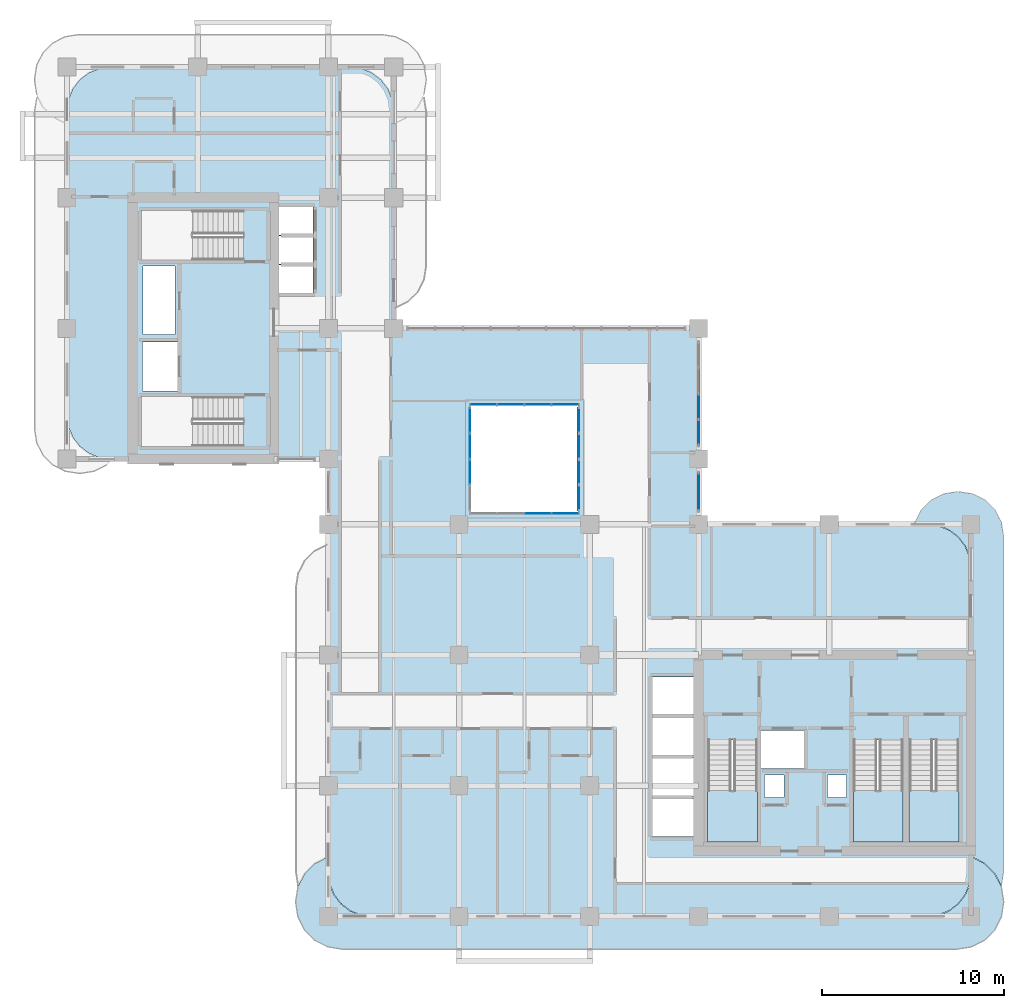
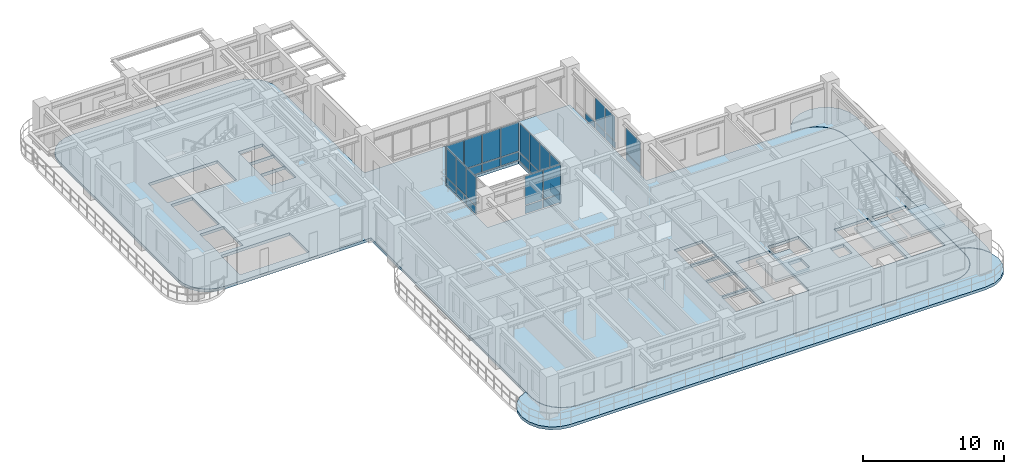
# One storey, part 9 of 20: 33 plates, 6 slabs, 9 elements without a shape of their own.
"""IFC4 building model written with IfcOpenShell, lengths in metres."""

from ifc_helpers import new_model, si_unit, derived_unit, direction, frame, origin, origin_2d, place, context, subcontext, project, spatial, polyline, rectangle, outline, extrude, source, transform, mapped, material, layer, layer_set, type_object, element, aggregate, save


model = new_model("IFC4")

# Units and contexts
model_context = context("Model", 3, precision=1e-05, world=origin(), true_north=direction((0.0, 1.0)))
body_context = subcontext(model_context, "Body", "Model", "MODEL_VIEW")
ifc_project = project(units=[si_unit("LENGTHUNIT", "METRE"), si_unit("AREAUNIT", "SQUARE_METRE"), si_unit("VOLUMEUNIT", "CUBIC_METRE"), si_unit("PLANEANGLEUNIT", "RADIAN"), si_unit("MASSUNIT", "GRAM", prefix="KILO"), si_unit("THERMODYNAMICTEMPERATUREUNIT", "KELVIN"), si_unit("POWERUNIT", "WATT"), derived_unit("THERMALTRANSMITTANCEUNIT", [(si_unit("POWERUNIT", "WATT"), 1), (si_unit("AREAUNIT", "SQUARE_METRE"), -1), (si_unit("THERMODYNAMICTEMPERATUREUNIT", "KELVIN"), -1)])], contexts=[model_context])

# Site, building, storey
site_placement = place(None, origin())
site = spatial("IfcSite", under=ifc_project, at=site_placement, CompositionType="ELEMENT")
building_placement = place(site_placement, origin())
building = spatial("IfcBuilding", under=site, at=building_placement, Name="Zahravan Archway Hotel and Residences", CompositionType="ELEMENT")
storey_placement = place(building_placement, frame((0.0, 0.0, 119.199951171875)))
storey = spatial("IfcBuildingStorey", under=building, at=storey_placement, Name="L29", CompositionType="ELEMENT", Elevation=119.199951171875)

# Slabs
ifc_material_1 = material(Name="Concrete C45/55", Category="concrete")
ifc_layer_1 = layer(ifc_material_1, 0.25, Name="Concrete C45/55", Category="concrete")
ifc_layer_set_1 = layer_set([ifc_layer_1], Name="Concrete C45/55")
slab_type_1 = type_object("IfcSlabType", Name="SLB-BALC-250", PredefinedType="FLOOR", material=ifc_layer_set_1)
slab_1_placement = place(storey_placement, frame((0.0, 0.0, -0.25)))
element("IfcSlab", 1, at=slab_1_placement, inside=storey, type_object=slab_type_1, Name="L29 Wing A South Rounded Balcony Band", PredefinedType="FLOOR", context=body_context, shape_type="SweptSolid", body=[
    extrude(outline(polyline([(49.837890625, 3.275146484375), (50.548828125, 2.9130859375), (51.113037109375, 2.348876953125), (51.47509765625, 1.637939453125), (51.60009765625, 0.85009765625), (51.60009765625, 0.75), (51.47509765625, -0.0380859375), (51.113037109375, -0.748779296875), (50.548828125, -1.31298828125), (49.837890625, -1.67529296875), (49.050048828125, -1.800048828125), (15.14990234375, -1.800048828125), (14.362060546875, -1.67529296875), (13.651123046875, -1.31298828125), (13.0869140625, -0.748779296875), (12.724853515625, -0.0380859375), (12.60009765625, 0.75), (12.60009765625, 0.85009765625), (12.724853515625, 1.637939453125), (13.0869140625, 2.348876953125), (13.651123046875, 2.9130859375), (14.362060546875, 3.275146484375), (14.3798828125, 3.278076171875), (14.3798828125, 2.39990234375), (14.380126953125, 2.3974609375), (14.4619140625, 1.776123046875), (14.46240234375, 1.7744140625), (14.462646484375, 1.772705078125), (14.46337890625, 1.77099609375), (14.702880859375, 1.1923828125), (14.703857421875, 1.19091796875), (14.70458984375, 1.189208984375), (14.70556640625, 1.187744140625), (15.0869140625, 0.690673828125), (15.088134765625, 0.689453125), (15.08935546875, 0.688232421875), (15.0908203125, 0.68701171875), (15.587890625, 0.3056640625), (15.58935546875, 0.3046875), (15.5908203125, 0.3037109375), (15.59228515625, 0.302978515625), (16.171142578125, 0.063232421875), (16.1728515625, 0.062744140625), (16.174560546875, 0.062255859375), (16.17626953125, 0.06201171875), (16.79736328125, -0.019775390625), (16.800048828125, -0.02001953125), (47.39990234375, -0.02001953125), (47.402587890625, -0.019775390625), (48.023681640625, 0.06201171875), (48.025390625, 0.062255859375), (48.027099609375, 0.062744140625), (48.02880859375, 0.063232421875), (48.607666015625, 0.302978515625), (48.609130859375, 0.3037109375), (48.610595703125, 0.3046875), (48.6123046875, 0.3056640625), (49.109375, 0.68701171875), (49.110595703125, 0.688232421875), (49.11181640625, 0.689453125), (49.113037109375, 0.690673828125), (49.494384765625, 1.187744140625), (49.495361328125, 1.189208984375), (49.49609375, 1.19091796875), (49.4970703125, 1.1923828125), (49.73681640625, 1.77099609375), (49.7373046875, 1.772705078125), (49.73779296875, 1.7744140625), (49.738037109375, 1.776123046875), (49.81982421875, 2.3974609375), (49.820068359375, 2.39990234375), (49.820068359375, 3.278076171875), (49.837890625, 3.275146484375)])), origin(), (0.0, 0.0, 1.0), 0.25),
])
slab_2_placement = place(storey_placement, frame((0.0, 0.0, -0.25)))
element("IfcSlab", 2, at=slab_2_placement, inside=storey, type_object=slab_type_1, Name="L29 Wing A East Rounded Balcony Band", PredefinedType="FLOOR", context=body_context, shape_type="SweptSolid", body=[
    extrude(outline(polyline([(46.719970703125, 21.70703125), (47.06787109375, 22.39013671875), (47.60986328125, 22.93212890625), (48.29296875, 23.280029296875), (49.050048828125, 23.39990234375), (49.14990234375, 23.39990234375), (49.906982421875, 23.280029296875), (50.590087890625, 22.93212890625), (51.132080078125, 22.39013671875), (51.47998046875, 21.70703125), (51.60009765625, 20.949951171875), (51.60009765625, 2.449951171875), (51.47998046875, 1.69287109375), (51.474853515625, 1.6826171875), (51.130859375, 2.35791015625), (51.1298828125, 2.35986328125), (51.12841796875, 2.361572265625), (51.127197265625, 2.363037109375), (50.56298828125, 2.927001953125), (50.5615234375, 2.928466796875), (50.559814453125, 2.9296875), (50.55810546875, 2.930908203125), (49.84716796875, 3.29296875), (49.84521484375, 3.2939453125), (49.84326171875, 3.29443359375), (49.841064453125, 3.294921875), (49.822998046875, 3.2978515625), (49.8212890625, 3.298095703125), (49.820068359375, 3.298095703125), (49.820068359375, 19.199951171875), (49.81982421875, 19.20263671875), (49.738037109375, 19.82373046875), (49.73779296875, 19.825439453125), (49.7373046875, 19.8271484375), (49.73681640625, 19.828857421875), (49.4970703125, 20.40771484375), (49.49609375, 20.4091796875), (49.495361328125, 20.41064453125), (49.494384765625, 20.412109375), (49.113037109375, 20.9091796875), (49.11181640625, 20.91064453125), (49.110595703125, 20.911865234375), (49.109375, 20.9130859375), (48.6123046875, 21.29443359375), (48.610595703125, 21.29541015625), (48.609130859375, 21.296142578125), (48.607666015625, 21.297119140625), (48.02880859375, 21.53662109375), (48.027099609375, 21.537353515625), (48.025390625, 21.53759765625), (48.023681640625, 21.5380859375), (47.402587890625, 21.619873046875), (47.39990234375, 21.6201171875), (46.7060546875, 21.6201171875), (46.719970703125, 21.70703125)])), origin(), (0.0, 0.0, 1.0), 0.25),
])
ifc_layer_2 = layer(ifc_material_1, 0.25, Name="Concrete C45/55", Category="concrete")
ifc_layer_set_2 = layer_set([ifc_layer_2], Name="Concrete C45/55")
slab_type_2 = type_object("IfcSlabType", Name="SLB-FLR-250", PredefinedType="FLOOR", material=ifc_layer_set_2)
slab_3_placement = place(storey_placement, frame((0.0, 0.0, -0.25)))
element("IfcSlab", 3, at=slab_3_placement, inside=storey, type_object=slab_type_2, Name="L29 Floor Slab LB", PredefinedType="FLOOR", context=body_context, shape_type="SweptSolid", body=[
    extrude(outline(polyline([(34.800048828125, 21.60009765625), (34.800048828125, 32.39990234375), (18.0, 32.39990234375), (18.0, 44.39990234375), (17.918212890625, 45.021240234375), (17.678466796875, 45.60009765625), (17.297119140625, 46.09716796875), (16.800048828125, 46.478515625), (16.22119140625, 46.71826171875), (15.60009765625, 46.800048828125), (2.39990234375, 46.800048828125), (1.77880859375, 46.71826171875), (1.199951171875, 46.478515625), (0.702880859375, 46.09716796875), (0.321533203125, 45.60009765625), (0.081787109375, 45.021240234375), (0.0, 44.39990234375), (0.0, 27.60009765625), (0.081787109375, 26.978759765625), (0.321533203125, 26.39990234375), (0.702880859375, 25.90283203125), (1.199951171875, 25.521484375), (1.77880859375, 25.28173828125), (2.39990234375, 25.199951171875), (14.39990234375, 25.199951171875), (14.39990234375, 19.199951171875), (14.39990234375, 19.10009765625), (14.39990234375, 2.39990234375), (14.481689453125, 1.77880859375), (14.721435546875, 1.199951171875), (15.102783203125, 0.702880859375), (15.60009765625, 0.321533203125), (16.1787109375, 0.081787109375), (16.800048828125, 0.0), (47.39990234375, 0.0), (48.021240234375, 0.081787109375), (48.60009765625, 0.321533203125), (49.09716796875, 0.702880859375), (49.478515625, 1.199951171875), (49.71826171875, 1.77880859375), (49.800048828125, 2.39990234375), (49.800048828125, 19.199951171875), (49.71826171875, 19.8212890625), (49.478515625, 20.39990234375), (49.09716796875, 20.897216796875), (48.60009765625, 21.278564453125), (48.021240234375, 21.518310546875), (47.39990234375, 21.60009765625), (34.800048828125, 21.60009765625)]), holes=[polyline([(35.300048828125, 9.72998046875), (35.300048828125, 4.10009765625), (38.0400390625, 4.10009765625), (38.0400390625, 9.72998046875), (35.300048828125, 9.72998046875)]), polyline([(43.320068359375, 9.72998046875), (43.320068359375, 4.10009765625), (46.06005859375, 4.10009765625), (46.06005859375, 9.72998046875), (43.320068359375, 9.72998046875)]), polyline([(46.39990234375, 9.72998046875), (46.39990234375, 4.10009765625), (49.139892578125, 4.10009765625), (49.139892578125, 9.72998046875), (46.39990234375, 9.72998046875)]), polyline([(9.72998046875, 28.639892578125), (4.10009765625, 28.639892578125), (4.10009765625, 25.89990234375), (9.72998046875, 25.89990234375), (9.72998046875, 28.639892578125)]), polyline([(9.72998046875, 38.89990234375), (4.10009765625, 38.89990234375), (4.10009765625, 36.159912109375), (9.72998046875, 36.159912109375), (9.72998046875, 38.89990234375)]), polyline([(38.179931640625, 8.14990234375), (40.699951171875, 8.14990234375), (40.699951171875, 10.25), (38.179931640625, 10.25), (38.179931640625, 8.14990234375)]), polyline([(4.14990234375, 28.949951171875), (6.10009765625, 28.949951171875), (6.10009765625, 31.64990234375), (4.14990234375, 31.64990234375), (4.14990234375, 28.949951171875)]), polyline([(11.550048828125, 34.35009765625), (13.550048828125, 34.35009765625), (13.550048828125, 35.889892578125), (11.550048828125, 35.889892578125), (11.550048828125, 34.35009765625)]), polyline([(11.550048828125, 35.949951171875), (13.550048828125, 35.949951171875), (13.550048828125, 37.489990234375), (11.550048828125, 37.489990234375), (11.550048828125, 35.949951171875)]), polyline([(11.550048828125, 37.550048828125), (13.550048828125, 37.550048828125), (13.550048828125, 39.090087890625), (11.550048828125, 39.090087890625), (11.550048828125, 37.550048828125)]), polyline([(32.25, 4.39990234375), (34.550048828125, 4.39990234375), (34.550048828125, 6.47998046875), (32.25, 6.47998046875), (32.25, 4.39990234375)]), polyline([(32.25, 6.639892578125), (34.550048828125, 6.639892578125), (34.550048828125, 8.719970703125), (32.25, 8.719970703125), (32.25, 6.639892578125)]), polyline([(32.25, 8.8798828125), (34.550048828125, 8.8798828125), (34.550048828125, 10.9599609375), (32.25, 10.9599609375), (32.25, 8.8798828125)]), polyline([(32.25, 11.1201171875), (34.550048828125, 11.1201171875), (34.550048828125, 13.199951171875), (32.25, 13.199951171875), (32.25, 11.1201171875)]), polyline([(22.199951171875, 22.199951171875), (28.199951171875, 22.199951171875), (28.199951171875, 28.199951171875), (22.199951171875, 28.199951171875), (22.199951171875, 22.199951171875)]), polyline([(38.419921875, 6.56005859375), (39.5, 6.56005859375), (39.5, 7.780029296875), (38.419921875, 7.780029296875), (38.419921875, 6.56005859375)]), polyline([(41.89990234375, 6.56005859375), (42.9599609375, 6.56005859375), (42.9599609375, 7.780029296875), (41.89990234375, 7.780029296875), (41.89990234375, 6.56005859375)]), polyline([(4.179931640625, 32.050048828125), (5.93994140625, 32.050048828125), (5.93994140625, 35.840087890625), (4.179931640625, 35.840087890625), (4.179931640625, 32.050048828125)])]), origin(), (0.0, 0.0, 1.0), 0.25),
])

# Stair, slab
ifc_material_2 = material(Name="Concrete C50/60", Category="concrete")
stair_type = type_object("IfcStairType", Name="STR-CORE-1300", PredefinedType="HALF_TURN_STAIR", material=ifc_material_2)
stair_1_placement = place(storey_placement, origin())
stair_1 = element("IfcStair", 4, at=stair_1_placement, inside=storey, type_object=stair_type, Name="L29 Core A Exit Stair 1", PredefinedType="HALF_TURN_STAIR")
ifc_layer_3 = layer(ifc_material_2, 0.199951171875, Name="Concrete C50/60", Category="concrete")
ifc_layer_set_3 = layer_set([ifc_layer_3], Name="Concrete C50/60")
slab_type_3 = type_object("IfcSlabType", Name="SLB-LND-200", PredefinedType="LANDING", material=ifc_layer_set_3)
slab_4_placement = place(storey_placement, frame((0.0, 0.0, 1.650146484375)))
slab_4 = element("IfcSlab", 5, at=slab_4_placement, type_object=slab_type_3, Name="ST-A1 landing 1", PredefinedType="LANDING", context=body_context, shape_type="SweptSolid", body=[
    extrude(outline(polyline([(35.300048828125, 6.929931640625), (35.300048828125, 4.10009765625), (38.0400390625, 4.10009765625), (38.0400390625, 6.929931640625), (35.300048828125, 6.929931640625)])), origin(), (0.0, 0.0, 1.0), 0.199951171875),
])
aggregate(stair_1, [slab_4])

stair_2_placement = place(storey_placement, origin())
stair_2 = element("IfcStair", 6, at=stair_2_placement, inside=storey, type_object=stair_type, Name="L29 Core A Exit Stair 2", PredefinedType="HALF_TURN_STAIR")
slab_5_placement = place(storey_placement, frame((0.0, 0.0, 1.650146484375)))
slab_5 = element("IfcSlab", 7, at=slab_5_placement, type_object=slab_type_3, Name="ST-A2 landing 1", PredefinedType="LANDING", context=body_context, shape_type="SweptSolid", body=[
    extrude(outline(polyline([(43.320068359375, 6.929931640625), (43.320068359375, 4.10009765625), (46.06005859375, 4.10009765625), (46.06005859375, 6.929931640625), (43.320068359375, 6.929931640625)])), origin(), (0.0, 0.0, 1.0), 0.199951171875),
])
aggregate(stair_2, [slab_5])

stair_3_placement = place(storey_placement, origin())
stair_3 = element("IfcStair", 8, at=stair_3_placement, inside=storey, type_object=stair_type, Name="L29 Core A Exit Stair 3", PredefinedType="HALF_TURN_STAIR")
slab_6_placement = place(storey_placement, frame((0.0, 0.0, 1.650146484375)))
slab_6 = element("IfcSlab", 9, at=slab_6_placement, type_object=slab_type_3, Name="ST-A3 landing 1", PredefinedType="LANDING", context=body_context, shape_type="SweptSolid", body=[
    extrude(outline(polyline([(46.39990234375, 6.929931640625), (46.39990234375, 4.10009765625), (49.139892578125, 4.10009765625), (49.139892578125, 6.929931640625), (46.39990234375, 6.929931640625)])), origin(), (0.0, 0.0, 1.0), 0.199951171875),
])
aggregate(stair_3, [slab_6])

# Curtain wall, plates
ifc_material_3 = material(Name="Bronze-Anodized Unitised Aluminium & Low-E Glass", Category="aluminium")
ifc_layer_4 = layer(ifc_material_3, 0.179931640625, Name="Bronze-Anodized Unitised Aluminium & Low-E Glass", Category="aluminium")
ifc_layer_set_4 = layer_set([ifc_layer_4], Name="Bronze-Anodized Unitised Aluminium & Low-E Glass")
curtain_wall_type = type_object("IfcCurtainWallType", Name="CW-ATR-GLAZ", PredefinedType="NOTDEFINED", material=ifc_layer_set_4)
curtain_wall_1_placement = place(storey_placement, origin())
curtain_wall_1 = element("IfcCurtainWall", 10, at=curtain_wall_1_placement, inside=storey, type_object=curtain_wall_type, Name="L29 Curtain Wall CW-ATR-L29-S-1", PredefinedType="NOTDEFINED")
ifc_material_4 = material(Name="Insulated Terracotta Spandrel Panel", Category="masonry")
ifc_layer_5 = layer(ifc_material_4, 0.0400390625, Name="Insulated Terracotta Spandrel Panel", Category="masonry")
ifc_layer_set_5 = layer_set([ifc_layer_5], Name="Insulated Terracotta Spandrel Panel")
plate_type_1 = type_object("IfcPlateType", Name="CWP-SPN-40", PredefinedType="SHEET", material=ifc_layer_set_5)
shared_shape_1 = source(origin(), body_context, "Body", "SweptSolid", [
    extrude(rectangle(XDim=1.419921875, YDim=0.0400390625, at=origin_2d()), origin(), (0.0, 0.0, 1.0), 0.68798828125),
])
plate_1_placement = place(storey_placement, frame((25.949951171875, 22.199951171875, 0.10009765625), z_axis=(0.0, 0.0, 1.0), x_axis=(1.0, 0.0, 0.0)))
plate_1 = element("IfcPlate", 11, at=plate_1_placement, type_object=plate_type_1, Name="CW-ATR-L29-S-1 Spandrel Panel 2", PredefinedType="SHEET", context=body_context, shape_type="MappedRepresentation", body=[
    mapped(shared_shape_1, transform((0.0, 0.0, 0.0), scale=1.0)),
])
plate_2_placement = place(storey_placement, frame((27.449951171875, 22.199951171875, 0.10009765625), z_axis=(0.0, 0.0, 1.0), x_axis=(1.0, 0.0, 0.0)))
plate_2 = element("IfcPlate", 12, at=plate_2_placement, type_object=plate_type_1, Name="CW-ATR-L29-S-1 Spandrel Panel 3", PredefinedType="SHEET", context=body_context, shape_type="MappedRepresentation", body=[
    mapped(shared_shape_1, transform((0.0, 0.0, 0.0), scale=1.0)),
])

curtain_wall_2_placement = place(storey_placement, origin())
curtain_wall_2 = element("IfcCurtainWall", 13, at=curtain_wall_2_placement, inside=storey, type_object=curtain_wall_type, Name="L29 Curtain Wall CW-ATR-L29-N-1", PredefinedType="NOTDEFINED")
plate_3_placement = place(storey_placement, frame((22.949951171875, 28.199951171875, 0.10009765625), z_axis=(0.0, 0.0, 1.0), x_axis=(1.0, 0.0, 0.0)))
plate_3 = element("IfcPlate", 14, at=plate_3_placement, type_object=plate_type_1, Name="CW-ATR-L29-N-1 Spandrel Panel 0", PredefinedType="SHEET", context=body_context, shape_type="MappedRepresentation", body=[
    mapped(shared_shape_1, transform((0.0, 0.0, 0.0), scale=1.0)),
])
plate_4_placement = place(storey_placement, frame((24.449951171875, 28.199951171875, 0.10009765625), z_axis=(0.0, 0.0, 1.0), x_axis=(1.0, 0.0, 0.0)))
plate_4 = element("IfcPlate", 15, at=plate_4_placement, type_object=plate_type_1, Name="CW-ATR-L29-N-1 Spandrel Panel 1", PredefinedType="SHEET", context=body_context, shape_type="MappedRepresentation", body=[
    mapped(shared_shape_1, transform((0.0, 0.0, 0.0), scale=1.0)),
])
plate_5_placement = place(storey_placement, frame((25.949951171875, 28.199951171875, 0.10009765625), z_axis=(0.0, 0.0, 1.0), x_axis=(1.0, 0.0, 0.0)))
plate_5 = element("IfcPlate", 16, at=plate_5_placement, type_object=plate_type_1, Name="CW-ATR-L29-N-1 Spandrel Panel 2", PredefinedType="SHEET", context=body_context, shape_type="MappedRepresentation", body=[
    mapped(shared_shape_1, transform((0.0, 0.0, 0.0), scale=1.0)),
])
plate_6_placement = place(storey_placement, frame((27.449951171875, 28.199951171875, 0.10009765625), z_axis=(0.0, 0.0, 1.0), x_axis=(1.0, 0.0, 0.0)))
plate_6 = element("IfcPlate", 17, at=plate_6_placement, type_object=plate_type_1, Name="CW-ATR-L29-N-1 Spandrel Panel 3", PredefinedType="SHEET", context=body_context, shape_type="MappedRepresentation", body=[
    mapped(shared_shape_1, transform((0.0, 0.0, 0.0), scale=1.0)),
])

# Plate
ifc_material_5 = material(Name="Double-Silver Low-E Insulated Vision Glass", Category="glass")
ifc_layer_6 = layer(ifc_material_5, 0.028076171875, Name="Double-Silver Low-E Insulated Vision Glass", Category="glass")
ifc_layer_set_6 = layer_set([ifc_layer_6], Name="Double-Silver Low-E Insulated Vision Glass")
plate_type_2 = type_object("IfcPlateType", Name="CWP-GLZ-28", PredefinedType="CURTAIN_PANEL", material=ifc_layer_set_6)
shared_shape_2 = source(origin(), body_context, "Body", "SweptSolid", [
    extrude(rectangle(XDim=1.419921875, YDim=0.028076171875, at=origin_2d()), origin(), (0.0, 0.0, 1.0), 2.48193359375),
])
plate_7_placement = place(storey_placement, frame((25.949951171875, 22.199951171875, 0.8681640625), z_axis=(0.0, 0.0, 1.0), x_axis=(1.0, 0.0, 0.0)))
plate_7 = element("IfcPlate", 18, at=plate_7_placement, type_object=plate_type_2, Name="CW-ATR-L29-S-1 Low-E Vision Panel 2", PredefinedType="CURTAIN_PANEL", context=body_context, shape_type="MappedRepresentation", body=[
    mapped(shared_shape_2, transform((0.0, 0.0, 0.0), scale=1.0)),
])

plate_8_placement = place(storey_placement, frame((27.449951171875, 22.199951171875, 0.8681640625), z_axis=(0.0, 0.0, 1.0), x_axis=(1.0, 0.0, 0.0)))
plate_8 = element("IfcPlate", 19, at=plate_8_placement, type_object=plate_type_2, Name="CW-ATR-L29-S-1 Low-E Vision Panel 3", PredefinedType="CURTAIN_PANEL", context=body_context, shape_type="MappedRepresentation", body=[
    mapped(shared_shape_2, transform((0.0, 0.0, 0.0), scale=1.0)),
])

aggregate(curtain_wall_1, [plate_1, plate_7, plate_2, plate_8])

plate_9_placement = place(storey_placement, frame((22.949951171875, 28.199951171875, 0.8681640625), z_axis=(0.0, 0.0, 1.0), x_axis=(1.0, 0.0, 0.0)))
plate_9 = element("IfcPlate", 20, at=plate_9_placement, type_object=plate_type_2, Name="CW-ATR-L29-N-1 Low-E Vision Panel 0", PredefinedType="CURTAIN_PANEL", context=body_context, shape_type="MappedRepresentation", body=[
    mapped(shared_shape_2, transform((0.0, 0.0, 0.0), scale=1.0)),
])

plate_10_placement = place(storey_placement, frame((24.449951171875, 28.199951171875, 0.8681640625), z_axis=(0.0, 0.0, 1.0), x_axis=(1.0, 0.0, 0.0)))
plate_10 = element("IfcPlate", 21, at=plate_10_placement, type_object=plate_type_2, Name="CW-ATR-L29-N-1 Low-E Vision Panel 1", PredefinedType="CURTAIN_PANEL", context=body_context, shape_type="MappedRepresentation", body=[
    mapped(shared_shape_2, transform((0.0, 0.0, 0.0), scale=1.0)),
])

plate_11_placement = place(storey_placement, frame((25.949951171875, 28.199951171875, 0.8681640625), z_axis=(0.0, 0.0, 1.0), x_axis=(1.0, 0.0, 0.0)))
plate_11 = element("IfcPlate", 22, at=plate_11_placement, type_object=plate_type_2, Name="CW-ATR-L29-N-1 Low-E Vision Panel 2", PredefinedType="CURTAIN_PANEL", context=body_context, shape_type="MappedRepresentation", body=[
    mapped(shared_shape_2, transform((0.0, 0.0, 0.0), scale=1.0)),
])

plate_12_placement = place(storey_placement, frame((27.449951171875, 28.199951171875, 0.8681640625), z_axis=(0.0, 0.0, 1.0), x_axis=(1.0, 0.0, 0.0)))
plate_12 = element("IfcPlate", 23, at=plate_12_placement, type_object=plate_type_2, Name="CW-ATR-L29-N-1 Low-E Vision Panel 3", PredefinedType="CURTAIN_PANEL", context=body_context, shape_type="MappedRepresentation", body=[
    mapped(shared_shape_2, transform((0.0, 0.0, 0.0), scale=1.0)),
])

aggregate(curtain_wall_2, [plate_3, plate_9, plate_4, plate_10, plate_5, plate_11, plate_6, plate_12])

# Curtain wall, plates
curtain_wall_3_placement = place(storey_placement, origin())
curtain_wall_3 = element("IfcCurtainWall", 24, at=curtain_wall_3_placement, inside=storey, type_object=curtain_wall_type, Name="L29 Curtain Wall CW-ATR-L29-W-1", PredefinedType="NOTDEFINED")
shared_shape_3 = source(origin(), body_context, "Body", "SweptSolid", [
    extrude(rectangle(XDim=1.344970703125, YDim=0.0400390625, at=origin_2d()), origin(), (0.0, 0.0, 1.0), 0.68798828125),
])
plate_13_placement = place(storey_placement, frame((22.199951171875, 24.487548828125, 0.10009765625), z_axis=(0.0, 0.0, 1.0), x_axis=(0.0, 1.0, 0.0)))
plate_13 = element("IfcPlate", 25, at=plate_13_placement, type_object=plate_type_1, Name="CW-ATR-L29-W-1 Spandrel Panel 1", PredefinedType="SHEET", context=body_context, shape_type="MappedRepresentation", body=[
    mapped(shared_shape_3, transform((0.0, 0.0, 0.0), scale=1.0)),
])
plate_14_placement = place(storey_placement, frame((22.199951171875, 25.91259765625, 0.10009765625), z_axis=(0.0, 0.0, 1.0), x_axis=(0.0, 1.0, 0.0)))
plate_14 = element("IfcPlate", 26, at=plate_14_placement, type_object=plate_type_1, Name="CW-ATR-L29-W-1 Spandrel Panel 2", PredefinedType="SHEET", context=body_context, shape_type="MappedRepresentation", body=[
    mapped(shared_shape_3, transform((0.0, 0.0, 0.0), scale=1.0)),
])
plate_15_placement = place(storey_placement, frame((22.199951171875, 27.33740234375, 0.10009765625), z_axis=(0.0, 0.0, 1.0), x_axis=(0.0, 1.0, 0.0)))
plate_15 = element("IfcPlate", 27, at=plate_15_placement, type_object=plate_type_1, Name="CW-ATR-L29-W-1 Spandrel Panel 3", PredefinedType="SHEET", context=body_context, shape_type="MappedRepresentation", body=[
    mapped(shared_shape_3, transform((0.0, 0.0, 0.0), scale=1.0)),
])

curtain_wall_4_placement = place(storey_placement, origin())
curtain_wall_4 = element("IfcCurtainWall", 28, at=curtain_wall_4_placement, inside=storey, type_object=curtain_wall_type, Name="L29 Curtain Wall CW-ATR-L29-E-1", PredefinedType="NOTDEFINED")
plate_16_placement = place(storey_placement, frame((28.199951171875, 23.0625, 0.10009765625), z_axis=(0.0, 0.0, 1.0), x_axis=(0.0, 1.0, 0.0)))
plate_16 = element("IfcPlate", 29, at=plate_16_placement, type_object=plate_type_1, Name="CW-ATR-L29-E-1 Spandrel Panel 0", PredefinedType="SHEET", context=body_context, shape_type="MappedRepresentation", body=[
    mapped(shared_shape_3, transform((0.0, 0.0, 0.0), scale=1.0)),
])
plate_17_placement = place(storey_placement, frame((28.199951171875, 24.487548828125, 0.10009765625), z_axis=(0.0, 0.0, 1.0), x_axis=(0.0, 1.0, 0.0)))
plate_17 = element("IfcPlate", 30, at=plate_17_placement, type_object=plate_type_1, Name="CW-ATR-L29-E-1 Spandrel Panel 1", PredefinedType="SHEET", context=body_context, shape_type="MappedRepresentation", body=[
    mapped(shared_shape_3, transform((0.0, 0.0, 0.0), scale=1.0)),
])
plate_18_placement = place(storey_placement, frame((28.199951171875, 25.91259765625, 0.10009765625), z_axis=(0.0, 0.0, 1.0), x_axis=(0.0, 1.0, 0.0)))
plate_18 = element("IfcPlate", 31, at=plate_18_placement, type_object=plate_type_1, Name="CW-ATR-L29-E-1 Spandrel Panel 2", PredefinedType="SHEET", context=body_context, shape_type="MappedRepresentation", body=[
    mapped(shared_shape_3, transform((0.0, 0.0, 0.0), scale=1.0)),
])
plate_19_placement = place(storey_placement, frame((28.199951171875, 27.33740234375, 0.10009765625), z_axis=(0.0, 0.0, 1.0), x_axis=(0.0, 1.0, 0.0)))
plate_19 = element("IfcPlate", 32, at=plate_19_placement, type_object=plate_type_1, Name="CW-ATR-L29-E-1 Spandrel Panel 3", PredefinedType="SHEET", context=body_context, shape_type="MappedRepresentation", body=[
    mapped(shared_shape_3, transform((0.0, 0.0, 0.0), scale=1.0)),
])

# Plate
shared_shape_4 = source(origin(), body_context, "Body", "SweptSolid", [
    extrude(rectangle(XDim=1.344970703125, YDim=0.028076171875, at=origin_2d()), origin(), (0.0, 0.0, 1.0), 2.48193359375),
])
plate_20_placement = place(storey_placement, frame((22.199951171875, 24.487548828125, 0.8681640625), z_axis=(0.0, 0.0, 1.0), x_axis=(0.0, 1.0, 0.0)))
plate_20 = element("IfcPlate", 33, at=plate_20_placement, type_object=plate_type_2, Name="CW-ATR-L29-W-1 Low-E Vision Panel 1", PredefinedType="CURTAIN_PANEL", context=body_context, shape_type="MappedRepresentation", body=[
    mapped(shared_shape_4, transform((0.0, 0.0, 0.0), scale=1.0)),
])

plate_21_placement = place(storey_placement, frame((22.199951171875, 25.91259765625, 0.8681640625), z_axis=(0.0, 0.0, 1.0), x_axis=(0.0, 1.0, 0.0)))
plate_21 = element("IfcPlate", 34, at=plate_21_placement, type_object=plate_type_2, Name="CW-ATR-L29-W-1 Low-E Vision Panel 2", PredefinedType="CURTAIN_PANEL", context=body_context, shape_type="MappedRepresentation", body=[
    mapped(shared_shape_4, transform((0.0, 0.0, 0.0), scale=1.0)),
])

plate_22_placement = place(storey_placement, frame((22.199951171875, 27.33740234375, 0.8681640625), z_axis=(0.0, 0.0, 1.0), x_axis=(0.0, 1.0, 0.0)))
plate_22 = element("IfcPlate", 35, at=plate_22_placement, type_object=plate_type_2, Name="CW-ATR-L29-W-1 Low-E Vision Panel 3", PredefinedType="CURTAIN_PANEL", context=body_context, shape_type="MappedRepresentation", body=[
    mapped(shared_shape_4, transform((0.0, 0.0, 0.0), scale=1.0)),
])

aggregate(curtain_wall_3, [plate_13, plate_20, plate_14, plate_21, plate_15, plate_22])

plate_23_placement = place(storey_placement, frame((28.199951171875, 23.0625, 0.8681640625), z_axis=(0.0, 0.0, 1.0), x_axis=(0.0, 1.0, 0.0)))
plate_23 = element("IfcPlate", 36, at=plate_23_placement, type_object=plate_type_2, Name="CW-ATR-L29-E-1 Low-E Vision Panel 0", PredefinedType="CURTAIN_PANEL", context=body_context, shape_type="MappedRepresentation", body=[
    mapped(shared_shape_4, transform((0.0, 0.0, 0.0), scale=1.0)),
])

plate_24_placement = place(storey_placement, frame((28.199951171875, 24.487548828125, 0.8681640625), z_axis=(0.0, 0.0, 1.0), x_axis=(0.0, 1.0, 0.0)))
plate_24 = element("IfcPlate", 37, at=plate_24_placement, type_object=plate_type_2, Name="CW-ATR-L29-E-1 Low-E Vision Panel 1", PredefinedType="CURTAIN_PANEL", context=body_context, shape_type="MappedRepresentation", body=[
    mapped(shared_shape_4, transform((0.0, 0.0, 0.0), scale=1.0)),
])

plate_25_placement = place(storey_placement, frame((28.199951171875, 25.91259765625, 0.8681640625), z_axis=(0.0, 0.0, 1.0), x_axis=(0.0, 1.0, 0.0)))
plate_25 = element("IfcPlate", 38, at=plate_25_placement, type_object=plate_type_2, Name="CW-ATR-L29-E-1 Low-E Vision Panel 2", PredefinedType="CURTAIN_PANEL", context=body_context, shape_type="MappedRepresentation", body=[
    mapped(shared_shape_4, transform((0.0, 0.0, 0.0), scale=1.0)),
])

plate_26_placement = place(storey_placement, frame((28.199951171875, 27.33740234375, 0.8681640625), z_axis=(0.0, 0.0, 1.0), x_axis=(0.0, 1.0, 0.0)))
plate_26 = element("IfcPlate", 39, at=plate_26_placement, type_object=plate_type_2, Name="CW-ATR-L29-E-1 Low-E Vision Panel 3", PredefinedType="CURTAIN_PANEL", context=body_context, shape_type="MappedRepresentation", body=[
    mapped(shared_shape_4, transform((0.0, 0.0, 0.0), scale=1.0)),
])

aggregate(curtain_wall_4, [plate_16, plate_23, plate_17, plate_24, plate_18, plate_25, plate_19, plate_26])

# Curtain wall, plates
curtain_wall_5_placement = place(storey_placement, origin())
curtain_wall_5 = element("IfcCurtainWall", 40, at=curtain_wall_5_placement, inside=storey, type_object=curtain_wall_type, Name="L29 Curtain Wall CW-L29-HNG-E-1", PredefinedType="NOTDEFINED")
shared_shape_5 = source(origin(), body_context, "Body", "SweptSolid", [
    extrude(rectangle(XDim=2.0, YDim=0.0400390625, at=origin_2d()), origin(), (0.0, 0.0, 1.0), 0.564453125),
])
plate_27_placement = place(storey_placement, frame((34.800048828125, 23.39990234375, 0.10009765625), z_axis=(0.0, 0.0, 1.0), x_axis=(0.0, 1.0, 0.0)))
plate_27 = element("IfcPlate", 41, at=plate_27_placement, type_object=plate_type_1, Name="CW-L29-HNG-E-1 Spandrel Panel 0", PredefinedType="SHEET", context=body_context, shape_type="MappedRepresentation", body=[
    mapped(shared_shape_5, transform((0.0, 0.0, 0.0), scale=1.0)),
])
shared_shape_6 = source(origin(), body_context, "Body", "SweptSolid", [
    extrude(rectangle(XDim=2.0, YDim=0.028076171875, at=origin_2d()), origin(), (0.0, 0.0, 1.0), 2.090576171875),
])
plate_28_placement = place(storey_placement, frame((34.800048828125, 23.39990234375, 0.74462890625), z_axis=(0.0, 0.0, 1.0), x_axis=(0.0, 1.0, 0.0)))
plate_28 = element("IfcPlate", 42, at=plate_28_placement, type_object=plate_type_2, Name="CW-L29-HNG-E-1 Low-E Vision Panel 0", PredefinedType="CURTAIN_PANEL", context=body_context, shape_type="MappedRepresentation", body=[
    mapped(shared_shape_6, transform((0.0, 0.0, 0.0), scale=1.0)),
])
aggregate(curtain_wall_5, [plate_27, plate_28])

curtain_wall_6_placement = place(storey_placement, origin())
curtain_wall_6 = element("IfcCurtainWall", 43, at=curtain_wall_6_placement, inside=storey, type_object=curtain_wall_type, Name="L29 Curtain Wall CW-L29-HNG-E-2", PredefinedType="NOTDEFINED")
shared_shape_7 = source(origin(), body_context, "Body", "SweptSolid", [
    extrude(rectangle(XDim=1.340087890625, YDim=0.0400390625, at=origin_2d()), origin(), (0.0, 0.0, 1.0), 0.564453125),
])
plate_29_placement = place(storey_placement, frame((34.800048828125, 26.669921875, 0.10009765625), z_axis=(0.0, 0.0, 1.0), x_axis=(0.0, 1.0, 0.0)))
plate_29 = element("IfcPlate", 44, at=plate_29_placement, type_object=plate_type_1, Name="CW-L29-HNG-E-2 Spandrel Panel 0", PredefinedType="SHEET", context=body_context, shape_type="MappedRepresentation", body=[
    mapped(shared_shape_7, transform((0.0, 0.0, 0.0), scale=1.0)),
])
plate_30_placement = place(storey_placement, frame((34.800048828125, 28.090087890625, 0.10009765625), z_axis=(0.0, 0.0, 1.0), x_axis=(0.0, 1.0, 0.0)))
plate_30 = element("IfcPlate", 45, at=plate_30_placement, type_object=plate_type_1, Name="CW-L29-HNG-E-2 Spandrel Panel 1", PredefinedType="SHEET", context=body_context, shape_type="MappedRepresentation", body=[
    mapped(shared_shape_7, transform((0.0, 0.0, 0.0), scale=1.0)),
])
plate_31_placement = place(storey_placement, frame((34.800048828125, 29.510009765625, 0.10009765625), z_axis=(0.0, 0.0, 1.0), x_axis=(0.0, 1.0, 0.0)))
plate_31 = element("IfcPlate", 46, at=plate_31_placement, type_object=plate_type_1, Name="CW-L29-HNG-E-2 Spandrel Panel 2", PredefinedType="SHEET", context=body_context, shape_type="MappedRepresentation", body=[
    mapped(shared_shape_7, transform((0.0, 0.0, 0.0), scale=1.0)),
])
shared_shape_8 = source(origin(), body_context, "Body", "SweptSolid", [
    extrude(rectangle(XDim=1.340087890625, YDim=0.028076171875, at=origin_2d()), origin(), (0.0, 0.0, 1.0), 2.090576171875),
])
plate_32_placement = place(storey_placement, frame((34.800048828125, 26.669921875, 0.74462890625), z_axis=(0.0, 0.0, 1.0), x_axis=(0.0, 1.0, 0.0)))
plate_32 = element("IfcPlate", 47, at=plate_32_placement, type_object=plate_type_2, Name="CW-L29-HNG-E-2 Low-E Vision Panel 0", PredefinedType="CURTAIN_PANEL", context=body_context, shape_type="MappedRepresentation", body=[
    mapped(shared_shape_8, transform((0.0, 0.0, 0.0), scale=1.0)),
])
plate_33_placement = place(storey_placement, frame((34.800048828125, 28.090087890625, 0.74462890625), z_axis=(0.0, 0.0, 1.0), x_axis=(0.0, 1.0, 0.0)))
plate_33 = element("IfcPlate", 48, at=plate_33_placement, type_object=plate_type_2, Name="CW-L29-HNG-E-2 Low-E Vision Panel 1", PredefinedType="CURTAIN_PANEL", context=body_context, shape_type="MappedRepresentation", body=[
    mapped(shared_shape_8, transform((0.0, 0.0, 0.0), scale=1.0)),
])
aggregate(curtain_wall_6, [plate_29, plate_32, plate_30, plate_33, plate_31])

save(model, "model.ifc")
